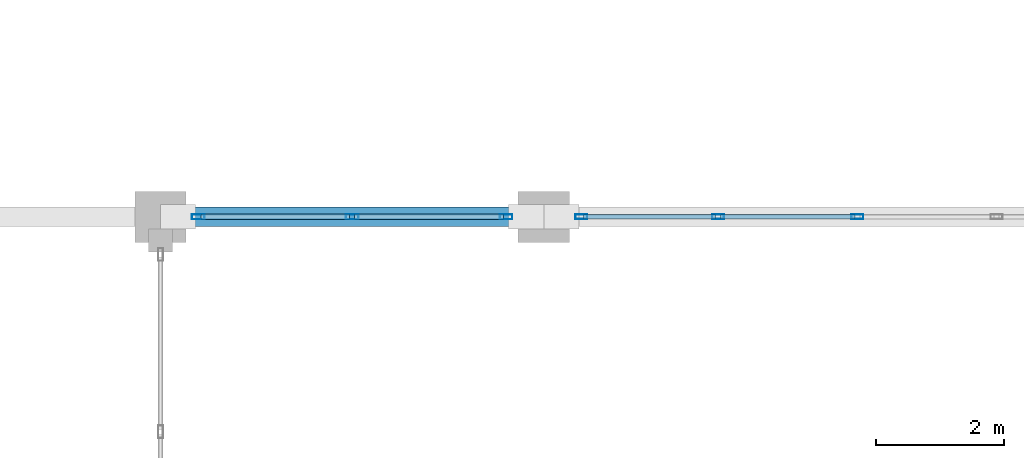
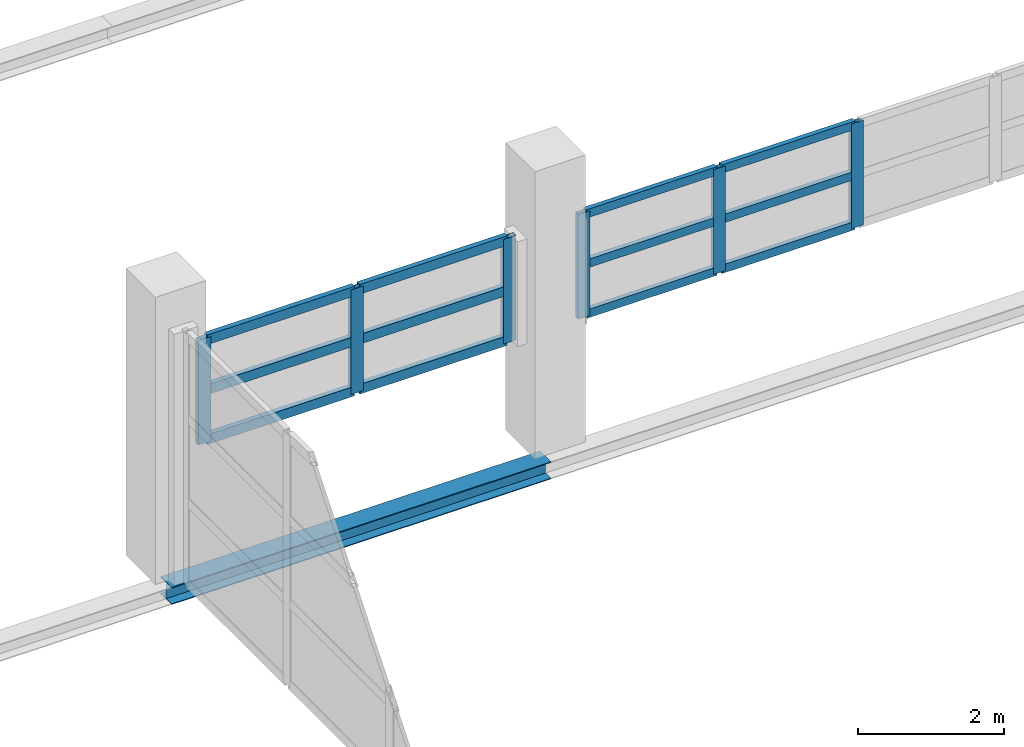
# One storey, part 50 of 86: 18 members, 1 beam, 2 elements without a shape of their own.
"""IFC4 building model written with IfcOpenShell, lengths in metres."""

from ifc_helpers import new_model, si_unit, direction, frame, origin, origin_2d, place, context, subcontext, project, spatial, hollow_rectangle, i_section, extrude, material, layer, layer_set, material_profile, profile_set, type_object, element, aggregate, save


model = new_model("IFC4")

# Units and contexts
model_context = context("Model", 3, precision=1e-05, world=origin(), true_north=direction((0.0, 1.0)))
body_context = subcontext(model_context, "Body", "Model", "MODEL_VIEW")
ifc_project = project(units=[si_unit("LENGTHUNIT", "METRE"), si_unit("AREAUNIT", "SQUARE_METRE"), si_unit("VOLUMEUNIT", "CUBIC_METRE"), si_unit("PLANEANGLEUNIT", "RADIAN"), si_unit("MASSUNIT", "GRAM", prefix="KILO")], contexts=[model_context])

# Site, building, storey
site_placement = place(None, origin())
site = spatial("IfcSite", under=ifc_project, at=site_placement, CompositionType="ELEMENT")
building_placement = place(site_placement, origin())
building = spatial("IfcBuilding", under=site, at=building_placement, Name="Zilviju Railside Exhibition Hall", CompositionType="ELEMENT")
storey_placement = place(building_placement, frame((0.0, 0.0, 12.60009765625)))
storey = spatial("IfcBuildingStorey", under=building, at=storey_placement, Name="L04", CompositionType="ELEMENT", Elevation=12.60009765625)

# Beam
ifc_material_1 = material(Name="Steel S355J2", Category="steel")
ifc_material_profile_1 = material_profile(ifc_material_1, i_section(OverallWidth=0.300048828125, OverallDepth=0.2900390625, WebThickness=0.008544921875, FlangeThickness=0.013916015625, at=origin_2d()), Name="HEA 300")
ifc_profile_set_1 = profile_set([ifc_material_profile_1], Name="Steel S355J2")
beam_type = type_object("IfcBeamType", Name="BM-HEA300", PredefinedType="SPANDREL", material=ifc_profile_set_1)
beam_placement = place(storey_placement, frame((78.0, 138.0, -0.485107421875), z_axis=(1.0, 0.0, 0.0), x_axis=(0.0, 1.0, 0.0)))
element("IfcBeam", 1, at=beam_placement, inside=storey, type_object=beam_type, Name="Primary Girder L04 Y=138.0 (78.0..84.0)", PredefinedType="SPANDREL", context=body_context, shape_type="SweptSolid", body=[
    extrude(i_section(OverallWidth=0.300048828125, OverallDepth=0.2900390625, WebThickness=0.008544921875, FlangeThickness=0.013916015625, at=origin_2d()), origin(), (0.0, 0.0, 1.0), 6.0),
])

# Curtain wall, members
ifc_material_2 = material(Name="Thermally broken aluminium-steel triple-glazed curtain wall", Category="steel")
ifc_layer_1 = layer(ifc_material_2, 0.179931640625)
ifc_layer_set_1 = layer_set([ifc_layer_1], Name="Thermally broken aluminium-steel triple-glazed curtain wall")
curtain_wall_type_1 = type_object("IfcCurtainWallType", Name="CW-BAY-01", PredefinedType="USERDEFINED", material=ifc_layer_set_1)
curtain_wall_1_placement = place(storey_placement, origin())
curtain_wall_1 = element("IfcCurtainWall", 2, at=curtain_wall_1_placement, inside=storey, type_object=curtain_wall_type_1, Name="North Hall Clerestory Curtain Wall L04 (84..96)", ObjectType="GLAZED CURTAIN WALL", PredefinedType="USERDEFINED")
ifc_material_3 = material(Name="Thermally broken anodized aluminium mullion", Category="aluminium")
ifc_material_profile_2 = material_profile(ifc_material_3, hollow_rectangle(XDim=0.074951171875, YDim=0.18994140625, WallThickness=0.0048828125, at=origin_2d()), Name="MULLION 190x75x5")
ifc_profile_set_2 = profile_set([ifc_material_profile_2], Name="Thermally broken anodized aluminium mullion")
member_type_1 = type_object("IfcMemberType", Name="CWM-75x190", PredefinedType="MULLION", material=ifc_profile_set_2)
member_1_placement = place(storey_placement, frame((84.58740234375, 138.0, 1.7998046875), z_axis=(0.0, 0.0, 1.0), x_axis=(0.0, 1.0, 0.0)))
member_1 = element("IfcMember", 3, at=member_1_placement, type_object=member_type_1, Name="CW-01 mullion 1", PredefinedType="MULLION", context=body_context, shape_type="SweptSolid", body=[
    extrude(hollow_rectangle(XDim=0.074951171875, YDim=0.18994140625, WallThickness=0.0048828125, at=origin_2d()), origin(), (0.0, 0.0, 1.0), 1.75),
])
member_2_placement = place(storey_placement, frame((86.72998046875, 138.0, 1.7998046875), z_axis=(0.0, 0.0, 1.0), x_axis=(0.0, 1.0, 0.0)))
member_2 = element("IfcMember", 4, at=member_2_placement, type_object=member_type_1, Name="CW-01 mullion 2", PredefinedType="MULLION", context=body_context, shape_type="SweptSolid", body=[
    extrude(hollow_rectangle(XDim=0.074951171875, YDim=0.18994140625, WallThickness=0.0048828125, at=origin_2d()), origin(), (0.0, 0.0, 1.0), 1.75),
])
member_3_placement = place(storey_placement, frame((88.909912109375, 138.0, 1.7998046875), z_axis=(0.0, 0.0, 1.0), x_axis=(0.0, 1.0, 0.0)))
member_3 = element("IfcMember", 5, at=member_3_placement, type_object=member_type_1, Name="CW-01 mullion 3", PredefinedType="MULLION", context=body_context, shape_type="SweptSolid", body=[
    extrude(hollow_rectangle(XDim=0.074951171875, YDim=0.18994140625, WallThickness=0.0048828125, at=origin_2d()), origin(), (0.0, 0.0, 1.0), 1.75),
])

ifc_layer_2 = layer(ifc_material_2, 0.179931640625)
ifc_layer_set_2 = layer_set([ifc_layer_2], Name="Thermally broken aluminium-steel triple-glazed curtain wall")
curtain_wall_type_2 = type_object("IfcCurtainWallType", Name="CW-BAY-20", PredefinedType="USERDEFINED", material=ifc_layer_set_2)
curtain_wall_2_placement = place(storey_placement, origin())
curtain_wall_2 = element("IfcCurtainWall", 6, at=curtain_wall_2_placement, inside=storey, type_object=curtain_wall_type_2, Name="North Hall Clerestory Curtain Wall L04 (78..84)", ObjectType="GLAZED CURTAIN WALL", PredefinedType="USERDEFINED")
ifc_material_profile_3 = material_profile(ifc_material_3, hollow_rectangle(XDim=0.080078125, YDim=0.199951171875, WallThickness=0.0048828125, at=origin_2d()), Name="MULLION 200x80x5")
ifc_profile_set_3 = profile_set([ifc_material_profile_3], Name="Thermally broken anodized aluminium mullion")
member_type_2 = type_object("IfcMemberType", Name="CWM-80x200", PredefinedType="MULLION", material=ifc_profile_set_3)
member_4_placement = place(storey_placement, frame((78.590087890625, 138.0, 1.7998046875), z_axis=(0.0, 0.0, 1.0), x_axis=(0.0, 1.0, 0.0)))
member_4 = element("IfcMember", 7, at=member_4_placement, type_object=member_type_2, Name="CW-20 mullion 1", PredefinedType="MULLION", context=body_context, shape_type="SweptSolid", body=[
    extrude(hollow_rectangle(XDim=0.080078125, YDim=0.199951171875, WallThickness=0.0048828125, at=origin_2d()), origin(), (0.0, 0.0, 1.0), 1.75),
])
member_5_placement = place(storey_placement, frame((81.0, 138.0, 1.7998046875), z_axis=(0.0, 0.0, 1.0), x_axis=(0.0, 1.0, 0.0)))
member_5 = element("IfcMember", 8, at=member_5_placement, type_object=member_type_2, Name="CW-20 mullion 2", PredefinedType="MULLION", context=body_context, shape_type="SweptSolid", body=[
    extrude(hollow_rectangle(XDim=0.080078125, YDim=0.199951171875, WallThickness=0.0048828125, at=origin_2d()), origin(), (0.0, 0.0, 1.0), 1.75),
])
member_6_placement = place(storey_placement, frame((83.409912109375, 138.0, 1.7998046875), z_axis=(0.0, 0.0, 1.0), x_axis=(0.0, 1.0, 0.0)))
member_6 = element("IfcMember", 9, at=member_6_placement, type_object=member_type_2, Name="CW-20 mullion 3", PredefinedType="MULLION", context=body_context, shape_type="SweptSolid", body=[
    extrude(hollow_rectangle(XDim=0.080078125, YDim=0.199951171875, WallThickness=0.0048828125, at=origin_2d()), origin(), (0.0, 0.0, 1.0), 1.75),
])

# Member
ifc_material_4 = material(Name="Thermally broken anodized aluminium transom", Category="aluminium")
ifc_material_profile_4 = material_profile(ifc_material_4, hollow_rectangle(XDim=0.074951171875, YDim=0.139892578125, WallThickness=0.0048828125, at=origin_2d()), Name="TRANSOM 140x75x5")
ifc_profile_set_4 = profile_set([ifc_material_profile_4], Name="Thermally broken anodized aluminium transom")
member_type_3 = type_object("IfcMemberType", Name="CWT-75x140", PredefinedType="USERDEFINED", material=ifc_profile_set_4)
member_7_placement = place(storey_placement, frame((84.625, 138.0, 1.83740234375), z_axis=(1.0, 0.0, 0.0), x_axis=(0.0, 1.0, 0.0)))
member_7 = element("IfcMember", 10, at=member_7_placement, type_object=member_type_3, Name="CW-01 transom 1.1", ObjectType="TRANSOM", PredefinedType="USERDEFINED", context=body_context, shape_type="SweptSolid", body=[
    extrude(hollow_rectangle(XDim=0.074951171875, YDim=0.139892578125, WallThickness=0.0048828125, at=origin_2d()), origin(), (0.0, 0.0, 1.0), 2.0673828125),
])

member_8_placement = place(storey_placement, frame((84.625, 138.0, 2.6748046875), z_axis=(1.0, 0.0, 0.0), x_axis=(0.0, 1.0, 0.0)))
member_8 = element("IfcMember", 11, at=member_8_placement, type_object=member_type_3, Name="CW-01 transom 1.2", ObjectType="TRANSOM", PredefinedType="USERDEFINED", context=body_context, shape_type="SweptSolid", body=[
    extrude(hollow_rectangle(XDim=0.074951171875, YDim=0.139892578125, WallThickness=0.0048828125, at=origin_2d()), origin(), (0.0, 0.0, 1.0), 2.0673828125),
])

member_9_placement = place(storey_placement, frame((84.625, 138.0, 3.512451171875), z_axis=(1.0, 0.0, 0.0), x_axis=(0.0, 1.0, 0.0)))
member_9 = element("IfcMember", 12, at=member_9_placement, type_object=member_type_3, Name="CW-01 transom 1.3", ObjectType="TRANSOM", PredefinedType="USERDEFINED", context=body_context, shape_type="SweptSolid", body=[
    extrude(hollow_rectangle(XDim=0.074951171875, YDim=0.139892578125, WallThickness=0.0048828125, at=origin_2d()), origin(), (0.0, 0.0, 1.0), 2.0673828125),
])

member_10_placement = place(storey_placement, frame((86.767578125, 138.0, 1.83740234375), z_axis=(1.0, 0.0, 0.0), x_axis=(0.0, 1.0, 0.0)))
member_10 = element("IfcMember", 13, at=member_10_placement, type_object=member_type_3, Name="CW-01 transom 2.1", ObjectType="TRANSOM", PredefinedType="USERDEFINED", context=body_context, shape_type="SweptSolid", body=[
    extrude(hollow_rectangle(XDim=0.074951171875, YDim=0.139892578125, WallThickness=0.0048828125, at=origin_2d()), origin(), (0.0, 0.0, 1.0), 2.10498046875),
])

member_11_placement = place(storey_placement, frame((86.767578125, 138.0, 2.6748046875), z_axis=(1.0, 0.0, 0.0), x_axis=(0.0, 1.0, 0.0)))
member_11 = element("IfcMember", 14, at=member_11_placement, type_object=member_type_3, Name="CW-01 transom 2.2", ObjectType="TRANSOM", PredefinedType="USERDEFINED", context=body_context, shape_type="SweptSolid", body=[
    extrude(hollow_rectangle(XDim=0.074951171875, YDim=0.139892578125, WallThickness=0.0048828125, at=origin_2d()), origin(), (0.0, 0.0, 1.0), 2.10498046875),
])

member_12_placement = place(storey_placement, frame((86.767578125, 138.0, 3.512451171875), z_axis=(1.0, 0.0, 0.0), x_axis=(0.0, 1.0, 0.0)))
member_12 = element("IfcMember", 15, at=member_12_placement, type_object=member_type_3, Name="CW-01 transom 2.3", ObjectType="TRANSOM", PredefinedType="USERDEFINED", context=body_context, shape_type="SweptSolid", body=[
    extrude(hollow_rectangle(XDim=0.074951171875, YDim=0.139892578125, WallThickness=0.0048828125, at=origin_2d()), origin(), (0.0, 0.0, 1.0), 2.10498046875),
])

aggregate(curtain_wall_1, [member_1, member_2, member_3, member_7, member_8, member_9, member_10, member_11, member_12])

ifc_material_profile_5 = material_profile(ifc_material_4, hollow_rectangle(XDim=0.080078125, YDim=0.159912109375, WallThickness=0.0048828125, at=origin_2d()), Name="TRANSOM 160x80x5")
ifc_profile_set_5 = profile_set([ifc_material_profile_5], Name="Thermally broken anodized aluminium transom")
member_type_4 = type_object("IfcMemberType", Name="CWT-80x160", PredefinedType="USERDEFINED", material=ifc_profile_set_5)
member_13_placement = place(storey_placement, frame((78.6298828125, 138.0, 1.83984375), z_axis=(1.0, 0.0, 0.0), x_axis=(0.0, 1.0, 0.0)))
member_13 = element("IfcMember", 16, at=member_13_placement, type_object=member_type_4, Name="CW-20 transom 1.1", ObjectType="TRANSOM", PredefinedType="USERDEFINED", context=body_context, shape_type="SweptSolid", body=[
    extrude(hollow_rectangle(XDim=0.080078125, YDim=0.159912109375, WallThickness=0.0048828125, at=origin_2d()), origin(), (0.0, 0.0, 1.0), 2.330078125),
])

member_14_placement = place(storey_placement, frame((78.6298828125, 138.0, 2.6748046875), z_axis=(1.0, 0.0, 0.0), x_axis=(0.0, 1.0, 0.0)))
member_14 = element("IfcMember", 17, at=member_14_placement, type_object=member_type_4, Name="CW-20 transom 1.2", ObjectType="TRANSOM", PredefinedType="USERDEFINED", context=body_context, shape_type="SweptSolid", body=[
    extrude(hollow_rectangle(XDim=0.080078125, YDim=0.159912109375, WallThickness=0.0048828125, at=origin_2d()), origin(), (0.0, 0.0, 1.0), 2.330078125),
])

member_15_placement = place(storey_placement, frame((78.6298828125, 138.0, 3.510009765625), z_axis=(1.0, 0.0, 0.0), x_axis=(0.0, 1.0, 0.0)))
member_15 = element("IfcMember", 18, at=member_15_placement, type_object=member_type_4, Name="CW-20 transom 1.3", ObjectType="TRANSOM", PredefinedType="USERDEFINED", context=body_context, shape_type="SweptSolid", body=[
    extrude(hollow_rectangle(XDim=0.080078125, YDim=0.159912109375, WallThickness=0.0048828125, at=origin_2d()), origin(), (0.0, 0.0, 1.0), 2.330078125),
])

member_16_placement = place(storey_placement, frame((81.0400390625, 138.0, 1.83984375), z_axis=(1.0, 0.0, 0.0), x_axis=(0.0, 1.0, 0.0)))
member_16 = element("IfcMember", 19, at=member_16_placement, type_object=member_type_4, Name="CW-20 transom 2.1", ObjectType="TRANSOM", PredefinedType="USERDEFINED", context=body_context, shape_type="SweptSolid", body=[
    extrude(hollow_rectangle(XDim=0.080078125, YDim=0.159912109375, WallThickness=0.0048828125, at=origin_2d()), origin(), (0.0, 0.0, 1.0), 2.330078125),
])

member_17_placement = place(storey_placement, frame((81.0400390625, 138.0, 2.6748046875), z_axis=(1.0, 0.0, 0.0), x_axis=(0.0, 1.0, 0.0)))
member_17 = element("IfcMember", 20, at=member_17_placement, type_object=member_type_4, Name="CW-20 transom 2.2", ObjectType="TRANSOM", PredefinedType="USERDEFINED", context=body_context, shape_type="SweptSolid", body=[
    extrude(hollow_rectangle(XDim=0.080078125, YDim=0.159912109375, WallThickness=0.0048828125, at=origin_2d()), origin(), (0.0, 0.0, 1.0), 2.330078125),
])

member_18_placement = place(storey_placement, frame((81.0400390625, 138.0, 3.510009765625), z_axis=(1.0, 0.0, 0.0), x_axis=(0.0, 1.0, 0.0)))
member_18 = element("IfcMember", 21, at=member_18_placement, type_object=member_type_4, Name="CW-20 transom 2.3", ObjectType="TRANSOM", PredefinedType="USERDEFINED", context=body_context, shape_type="SweptSolid", body=[
    extrude(hollow_rectangle(XDim=0.080078125, YDim=0.159912109375, WallThickness=0.0048828125, at=origin_2d()), origin(), (0.0, 0.0, 1.0), 2.330078125),
])

aggregate(curtain_wall_2, [member_4, member_5, member_6, member_13, member_14, member_15, member_16, member_17, member_18])

save(model, "model.ifc")
